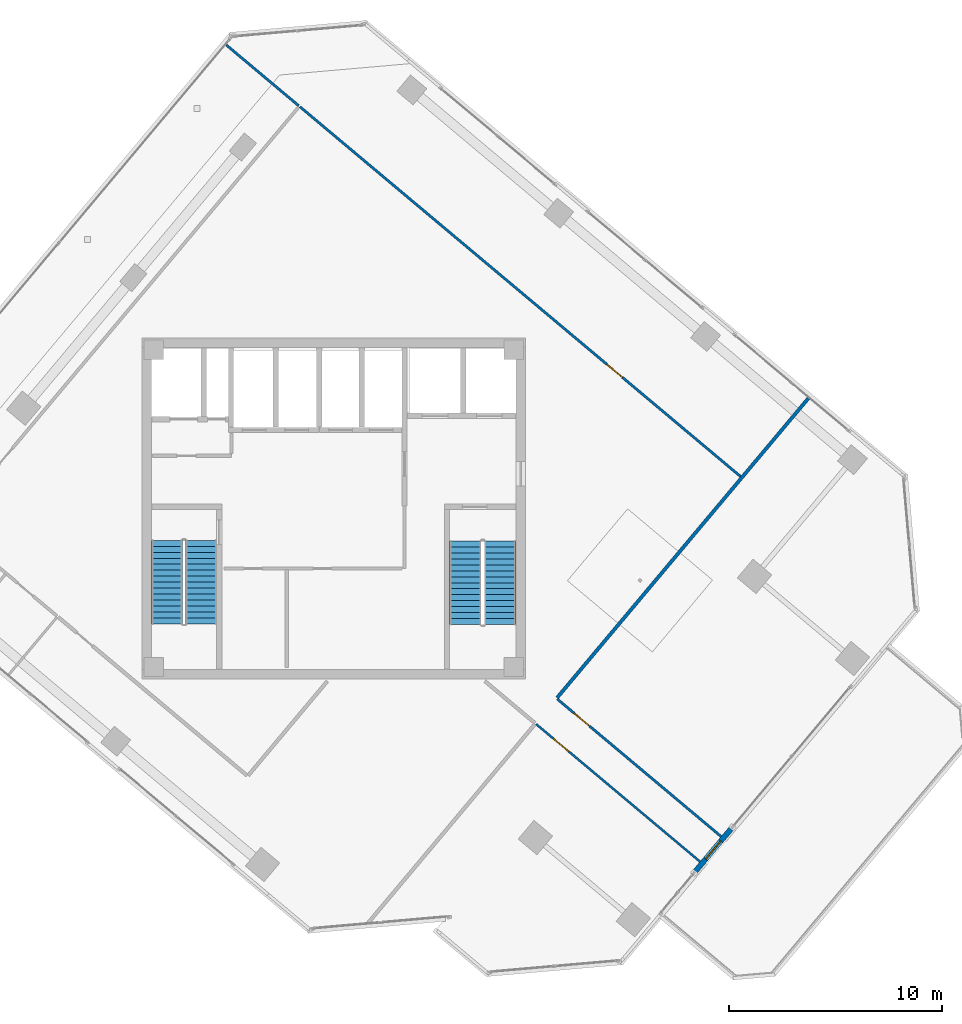
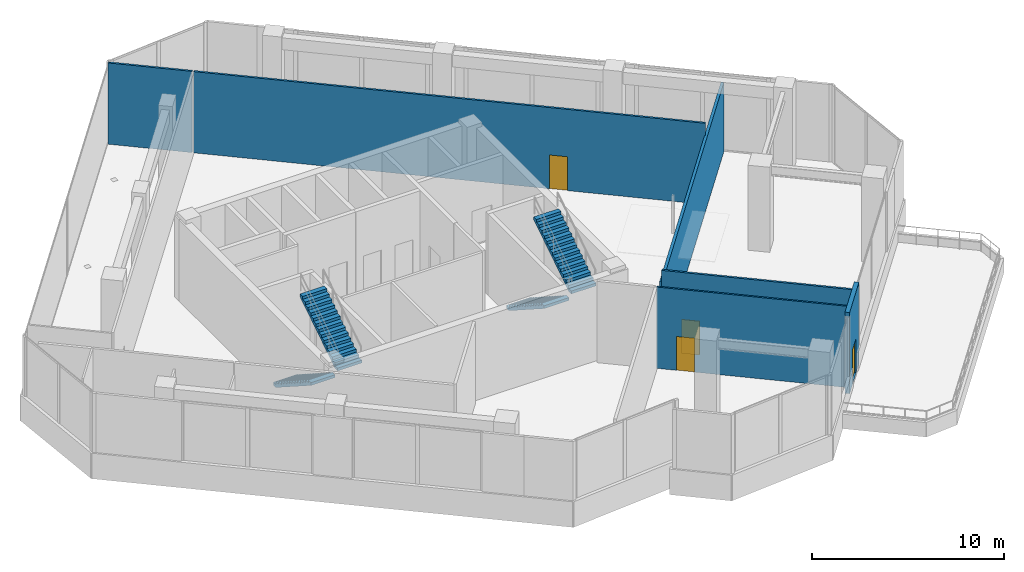
# One storey, part 13 of 17: 6 walls, 4 doors, 4 stair flights, 4 openings, 2 elements without a shape of their own.
"""IFC4 building model written with IfcOpenShell, lengths in metres."""

from ifc_helpers import new_model, si_unit, direction, frame, frame_2d, origin, place, context, subcontext, project, spatial, polyline, rectangle, outline, extrude, source, transform, mapped, material, layer, layer_set, type_object, element, fill, aggregate, save


model = new_model("IFC4")

# Units and contexts
model_context = context("Model", 3, precision=1e-05, world=origin(), true_north=direction((0.0, 1.0)))
body_context = subcontext(model_context, "Body", "Model", "MODEL_VIEW")
ifc_project = project(units=[si_unit("LENGTHUNIT", "METRE"), si_unit("AREAUNIT", "SQUARE_METRE"), si_unit("VOLUMEUNIT", "CUBIC_METRE"), si_unit("PLANEANGLEUNIT", "RADIAN"), si_unit("MASSUNIT", "GRAM", prefix="KILO")], contexts=[model_context])

# Site, building, storey
site_placement = place(None, origin())
site = spatial("IfcSite", under=ifc_project, at=site_placement, CompositionType="ELEMENT")
building_placement = place(site_placement, origin())
building = spatial("IfcBuilding", under=site, at=building_placement, Name="Torre Montelarca", CompositionType="ELEMENT")
storey_placement = place(building_placement, frame((0.0, 0.0, 215.199951171875)))
storey = spatial("IfcBuildingStorey", under=building, at=storey_placement, Name="L48", CompositionType="ELEMENT", Elevation=215.199951171875)

# Wall, opening, door
ifc_material_1 = material(Name="Precast concrete C45/55", Category="concrete")
ifc_layer_1 = layer(ifc_material_1, 0.25, Name="Precast concrete C45/55", Category="concrete")
ifc_layer_set_1 = layer_set([ifc_layer_1], Name="Precast concrete C45/55")
wall_type_1 = type_object("IfcWallType", Name="EW-CONC-250", PredefinedType="SOLIDWALL", material=ifc_layer_set_1)
wall_1_placement = place(storey_placement, frame((34.911376953125, 14.892822265625, 0.0), z_axis=(0.0, 0.0, 1.0), x_axis=(0.642770757628, 0.766058583359, 0.0)))
wall_1 = element("IfcWall", 1, at=wall_1_placement, inside=storey, type_object=wall_type_1, Name="L48 Terrace Portal Wall Pier E06", PredefinedType="SOLIDWALL", context=body_context, shape_type="SweptSolid", body=[
    extrude(rectangle(XDim=2.800048828125, YDim=0.25, at=frame_2d((1.39990234375, 0.0))), origin(), (0.0, 0.0, 1.0), 5.16015625),
])
opening_1_placement = place(wall_1_placement, frame((0.85009765625, 0.0, 0.0)))
opening_1 = element("IfcOpeningElement", 2, at=opening_1_placement, cuts=wall_1, Name="Opening ED-03", PredefinedType="OPENING", context=body_context, shape_type="SweptSolid", body=[
    extrude(rectangle(XDim=1.10009765625, YDim=2.199951171875, at=frame_2d((0.550048828125, 1.10009765625))), frame((0.0, 0.135009765625, 0.0), z_axis=(0.0, -1.0, 0.0), x_axis=(1.0, 0.0, 0.0)), (0.0, 0.0, 1.0), 0.27001953125),
])
ifc_material_2 = material(Name="Powder-coated galvanized steel and safety glass", Category="steel")
door_type_1 = type_object("IfcDoorType", Name="DR-EXT-TER", OperationType="NOTDEFINED", PredefinedType="DOOR", material=ifc_material_2)
shared_shape_1 = source(origin(), body_context, "Body", "SweptSolid", [
    extrude(rectangle(XDim=1.10009765625, YDim=2.199951171875, at=frame_2d((0.550048828125, 1.10009765625))), frame((0.0, 0.02490234375, 0.0), z_axis=(0.0, -1.0, 0.0), x_axis=(1.0, 0.0, 0.0)), (0.0, 0.0, 1.0), 0.050048828125),
])
door_1_placement = place(opening_1_placement, origin())
door_1 = element("IfcDoor", 3, at=door_1_placement, inside=storey, type_object=door_type_1, Name="L48 Sky Terrace Access Door", OperationType="SINGLE_SWING_LEFT", OverallHeight=2.199951171875, OverallWidth=1.10009765625, PredefinedType="DOOR", context=body_context, shape_type="MappedRepresentation", body=[
    mapped(shared_shape_1, transform((0.0, 0.0, 0.0), scale=1.0)),
])
fill(opening_1, door_1)

# Wall
ifc_material_3 = material(Name="Gypsum plasterboard on steel stud", Category="steel")
ifc_layer_2 = layer(ifc_material_3, 0.159912109375, Name="Gypsum plasterboard on steel stud", Category="steel")
ifc_layer_set_2 = layer_set([ifc_layer_2], Name="Gypsum plasterboard on steel stud")
wall_type_2 = type_object("IfcWallType", Name="PW-FIRE-160", PredefinedType="PARTITIONING", material=ifc_layer_set_2)
wall_2_placement = place(storey_placement, frame((28.481201171875, 23.113525390625, 0.0), z_axis=(0.0, 0.0, 1.0), x_axis=(0.642788958176, 0.7660433116, 0.0)))
element("IfcWall", 4, at=wall_2_placement, inside=storey, type_object=wall_type_2, Name="L48 Interior Partition W-L48-ECN", PredefinedType="PARTITIONING", context=body_context, shape_type="SweptSolid", body=[
    extrude(rectangle(XDim=18.340087890625, YDim=0.159912109375, at=frame_2d((9.169921875, 0.0))), origin(), (0.0, 0.0, 1.0), 4.39501953125),
])

# Wall, opening, door
ifc_material_4 = material(Name="Acoustic laminated glass partition", Category="glass")
ifc_layer_3 = layer(ifc_material_4, 0.10009765625, Name="Acoustic laminated glass partition", Category="glass")
ifc_layer_set_3 = layer_set([ifc_layer_3], Name="Acoustic laminated glass partition")
wall_type_3 = type_object("IfcWallType", Name="PW-GLAZ-100", PredefinedType="PARTITIONING", material=ifc_layer_set_3)
wall_3_placement = place(storey_placement, frame((27.49609375, 21.87744140625, 0.0), z_axis=(0.0, 0.0, 1.0), x_axis=(0.766053586218, -0.642776713208, 0.0)))
wall_3 = element("IfcWall", 5, at=wall_3_placement, inside=storey, type_object=wall_type_3, Name="L48 Interior Partition W-L48-SE-N", PredefinedType="PARTITIONING", context=body_context, shape_type="SweptSolid", body=[
    extrude(rectangle(XDim=10.119873046875, YDim=0.10009765625, at=frame_2d((5.06005859375, 0.0))), origin(), (0.0, 0.0, 1.0), 5.16015625),
])
opening_2_placement = place(wall_3_placement, frame((1.050048828125, 0.0, 0.0)))
opening_2 = element("IfcOpeningElement", 6, at=opening_2_placement, cuts=wall_3, Name="Opening ID-095", PredefinedType="OPENING", context=body_context, shape_type="SweptSolid", body=[
    extrude(rectangle(XDim=0.949951171875, YDim=2.14990234375, at=frame_2d((0.47509765625, 1.074951171875))), frame((0.0, 0.06005859375, 0.0), z_axis=(0.0, -1.0, 0.0), x_axis=(1.0, 0.0, 0.0)), (0.0, 0.0, 1.0), 0.1201171875),
])
ifc_material_5 = material(Name="Hardwood acoustic timber veneer", Category="wood")
door_type_2 = type_object("IfcDoorType", Name="DR-INT-095", OperationType="NOTDEFINED", PredefinedType="DOOR", material=ifc_material_5)
shared_shape_2 = source(origin(), body_context, "Body", "SweptSolid", [
    extrude(rectangle(XDim=0.949951171875, YDim=2.14990234375, at=frame_2d((0.47509765625, 1.074951171875))), frame((0.0, 0.02490234375, 0.0), z_axis=(0.0, -1.0, 0.0), x_axis=(1.0, 0.0, 0.0)), (0.0, 0.0, 1.0), 0.050048828125),
])
door_2_placement = place(opening_2_placement, origin())
door_2 = element("IfcDoor", 7, at=door_2_placement, inside=storey, type_object=door_type_2, Name="L48 Interior Door 10", OperationType="SINGLE_SWING_LEFT", OverallHeight=2.14990234375, OverallWidth=0.949951171875, PredefinedType="DOOR", context=body_context, shape_type="MappedRepresentation", body=[
    mapped(shared_shape_2, transform((0.0, 0.0, 0.0), scale=1.0)),
])
fill(opening_2, door_2)

ifc_layer_4 = layer(ifc_material_3, 0.114990234375, Name="Gypsum plasterboard on steel stud", Category="steel")
ifc_layer_set_4 = layer_set([ifc_layer_4], Name="Gypsum plasterboard on steel stud")
wall_type_4 = type_object("IfcWallType", Name="PW-PART-115", PredefinedType="PARTITIONING", material=ifc_layer_set_4)
wall_4_placement = place(storey_placement, frame((16.41552734375, 50.847900390625, 0.0), z_axis=(0.0, 0.0, 1.0), x_axis=(0.766042472976, -0.642789957604, 0.0)))
wall_4 = element("IfcWall", 8, at=wall_4_placement, inside=storey, type_object=wall_type_4, Name="L48 Interior Partition W-L48-NBOT", PredefinedType="PARTITIONING", context=body_context, shape_type="SweptSolid", body=[
    extrude(rectangle(XDim=27.0302734375, YDim=0.114990234375, at=frame_2d((13.51513671875, 0.0))), origin(), (0.0, 0.0, 1.0), 5.16015625),
])
opening_3_placement = place(wall_4_placement, frame((18.800048828125, 0.0, 0.0)))
opening_3 = element("IfcOpeningElement", 9, at=opening_3_placement, cuts=wall_4, Name="Opening ID-095", PredefinedType="OPENING", context=body_context, shape_type="SweptSolid", body=[
    extrude(rectangle(XDim=0.949951171875, YDim=2.14990234375, at=frame_2d((0.47509765625, 1.074951171875))), frame((0.0, 0.0673828125, 0.0), z_axis=(0.0, -1.0, 0.0), x_axis=(1.0, 0.0, 0.0)), (0.0, 0.0, 1.0), 0.135009765625),
])
door_3_placement = place(opening_3_placement, origin())
door_3 = element("IfcDoor", 10, at=door_3_placement, inside=storey, type_object=door_type_2, Name="L48 Interior Door 07", OperationType="SINGLE_SWING_LEFT", OverallHeight=2.14990234375, OverallWidth=0.949951171875, PredefinedType="DOOR", context=body_context, shape_type="MappedRepresentation", body=[
    mapped(shared_shape_2, transform((0.0, 0.0, 0.0), scale=1.0)),
])
fill(opening_3, door_3)

# Wall
wall_5_placement = place(storey_placement, frame((12.960693359375, 53.74658203125, 0.0), z_axis=(0.0, 0.0, 1.0), x_axis=(0.766057601156, -0.642771928222, 0.0)))
element("IfcWall", 11, at=wall_5_placement, inside=storey, type_object=wall_type_4, Name="L48 Interior Partition W-L48-WWGN", PredefinedType="PARTITIONING", context=body_context, shape_type="SweptSolid", body=[
    extrude(rectangle(XDim=4.429931640625, YDim=0.114990234375, at=frame_2d((2.21484375, 0.0))), origin(), (0.0, 0.0, 1.0), 5.16015625),
])

# Wall, opening, door
wall_6_placement = place(storey_placement, frame((28.486083984375, 23.05712890625, 0.0), z_axis=(0.0, 0.0, 1.0), x_axis=(0.766053586218, -0.642776713208, 0.0)))
wall_6 = element("IfcWall", 12, at=wall_6_placement, inside=storey, type_object=wall_type_4, Name="L48 Interior Partition W-L48-NE-S", PredefinedType="PARTITIONING", context=body_context, shape_type="SweptSolid", body=[
    extrude(rectangle(XDim=10.119873046875, YDim=0.114990234375, at=frame_2d((5.06005859375, 0.0))), origin(), (0.0, 0.0, 1.0), 5.16015625),
])
opening_4_placement = place(wall_6_placement, frame((1.050048828125, 0.0, 0.0)))
opening_4 = element("IfcOpeningElement", 13, at=opening_4_placement, cuts=wall_6, Name="Opening ID-095", PredefinedType="OPENING", context=body_context, shape_type="SweptSolid", body=[
    extrude(rectangle(XDim=0.949951171875, YDim=2.14990234375, at=frame_2d((0.47509765625, 1.074951171875))), frame((0.0, 0.0673828125, 0.0), z_axis=(0.0, -1.0, 0.0), x_axis=(1.0, 0.0, 0.0)), (0.0, 0.0, 1.0), 0.135009765625),
])
door_4_placement = place(opening_4_placement, origin())
door_4 = element("IfcDoor", 14, at=door_4_placement, inside=storey, type_object=door_type_2, Name="L48 Interior Door 09", OperationType="SINGLE_SWING_LEFT", OverallHeight=2.14990234375, OverallWidth=0.949951171875, PredefinedType="DOOR", context=body_context, shape_type="MappedRepresentation", body=[
    mapped(shared_shape_2, transform((0.0, 0.0, 0.0), scale=1.0)),
])
fill(opening_4, door_4)

# Stair, stair flights
ifc_material_6 = material(Name="Concrete C40/50", Category="concrete")
stair_type_1 = type_object("IfcStairType", Name="ST-CORE-ST1", PredefinedType="HALF_TURN_STAIR", material=ifc_material_6)
stair_1_placement = place(storey_placement, origin())
stair_1 = element("IfcStair", 15, at=stair_1_placement, inside=storey, type_object=stair_type_1, Name="L48 Protected Exit Stair ST1", PredefinedType="HALF_TURN_STAIR")
stair_flight_type_1 = type_object("IfcStairFlightType", Name="SFL-CORE-ST1", PredefinedType="STRAIGHT", material=ifc_material_6)
stair_flight_1_placement = place(storey_placement, frame((10.175048828125, 30.5, 0.0), z_axis=(0.0, 0.0, 1.0), x_axis=(0.0, -1.0, 0.0)))
stair_flight_1 = element("IfcStairFlight", 16, at=stair_flight_1_placement, type_object=stair_flight_type_1, Name="ST1 flight 1", NumberOfRisers=15, NumberOfTreads=14, PredefinedType="STRAIGHT", RiserHeight=0.18, TreadLength=0.28, context=body_context, shape_type="SweptSolid", body=[
    extrude(outline(polyline([(0.0, 0.0), (0.0, 0.179931640625), (0.280029296875, 0.179931640625), (0.280029296875, 0.360107421875), (0.56005859375, 0.360107421875), (0.56005859375, 0.5400390625), (0.840087890625, 0.5400390625), (0.840087890625, 0.719970703125), (1.1201171875, 0.719970703125), (1.1201171875, 0.89990234375), (1.39990234375, 0.89990234375), (1.39990234375, 1.080078125), (1.679931640625, 1.080078125), (1.679931640625, 1.260009765625), (1.9599609375, 1.260009765625), (1.9599609375, 1.43994140625), (2.239990234375, 1.43994140625), (2.239990234375, 1.6201171875), (2.52001953125, 1.6201171875), (2.52001953125, 1.800048828125), (2.800048828125, 1.800048828125), (2.800048828125, 1.97998046875), (3.080078125, 1.97998046875), (3.080078125, 2.159912109375), (3.360107421875, 2.159912109375), (3.360107421875, 2.340087890625), (3.639892578125, 2.340087890625), (3.639892578125, 2.52001953125), (3.919921875, 2.52001953125), (3.919921875, 2.699951171875), (3.919921875, 2.341796875), (0.277099609375, 0.0), (0.0, 0.0)])), frame((0.0, 0.72509765625, 0.0), z_axis=(0.0, -1.0, 0.0), x_axis=(1.0, 0.0, 0.0)), (0.0, 0.0, 1.0), 1.449951171875),
])
stair_flight_2_placement = place(storey_placement, frame((11.77490234375, 26.580078125, 2.699951171875), z_axis=(0.0, 0.0, 1.0), x_axis=(0.0, 1.0, 0.0)))
stair_flight_2 = element("IfcStairFlight", 17, at=stair_flight_2_placement, type_object=stair_flight_type_1, Name="ST1 flight 2", NumberOfRisers=15, NumberOfTreads=14, PredefinedType="STRAIGHT", RiserHeight=0.18, TreadLength=0.28, context=body_context, shape_type="SweptSolid", body=[
    extrude(outline(polyline([(0.0, 0.0), (0.0, 0.179931640625), (0.280029296875, 0.179931640625), (0.280029296875, 0.360107421875), (0.56005859375, 0.360107421875), (0.56005859375, 0.5400390625), (0.840087890625, 0.5400390625), (0.840087890625, 0.719970703125), (1.1201171875, 0.719970703125), (1.1201171875, 0.89990234375), (1.39990234375, 0.89990234375), (1.39990234375, 1.080078125), (1.679931640625, 1.080078125), (1.679931640625, 1.260009765625), (1.9599609375, 1.260009765625), (1.9599609375, 1.43994140625), (2.239990234375, 1.43994140625), (2.239990234375, 1.6201171875), (2.52001953125, 1.6201171875), (2.52001953125, 1.800048828125), (2.800048828125, 1.800048828125), (2.800048828125, 1.97998046875), (3.080078125, 1.97998046875), (3.080078125, 2.159912109375), (3.360107421875, 2.159912109375), (3.360107421875, 2.340087890625), (3.639892578125, 2.340087890625), (3.639892578125, 2.52001953125), (3.919921875, 2.52001953125), (3.919921875, 2.699951171875), (3.919921875, 2.341796875), (0.277099609375, 0.0), (0.0, 0.0)])), frame((0.0, 0.72509765625, 0.0), z_axis=(0.0, -1.0, 0.0), x_axis=(1.0, 0.0, 0.0)), (0.0, 0.0, 1.0), 1.449951171875),
])
aggregate(stair_1, [stair_flight_1, stair_flight_2])

stair_type_2 = type_object("IfcStairType", Name="ST-CORE-ST2", PredefinedType="HALF_TURN_STAIR", material=ifc_material_6)
stair_2_placement = place(storey_placement, origin())
stair_2 = element("IfcStair", 18, at=stair_2_placement, inside=storey, type_object=stair_type_2, Name="L48 Protected Exit Stair ST2", PredefinedType="HALF_TURN_STAIR")
stair_flight_type_2 = type_object("IfcStairFlightType", Name="SFL-CORE-ST2", PredefinedType="STRAIGHT", material=ifc_material_6)
stair_flight_3_placement = place(storey_placement, frame((24.179931640625, 30.469970703125, 0.0), z_axis=(0.0, 0.0, 1.0), x_axis=(0.0, -1.0, 0.0)))
stair_flight_3 = element("IfcStairFlight", 19, at=stair_flight_3_placement, type_object=stair_flight_type_2, Name="ST2 flight 1", NumberOfRisers=15, NumberOfTreads=14, PredefinedType="STRAIGHT", RiserHeight=0.18, TreadLength=0.28, context=body_context, shape_type="SweptSolid", body=[
    extrude(outline(polyline([(0.0, 0.0), (0.0, 0.179931640625), (0.280029296875, 0.179931640625), (0.280029296875, 0.360107421875), (0.56005859375, 0.360107421875), (0.56005859375, 0.5400390625), (0.840087890625, 0.5400390625), (0.840087890625, 0.719970703125), (1.1201171875, 0.719970703125), (1.1201171875, 0.89990234375), (1.39990234375, 0.89990234375), (1.39990234375, 1.080078125), (1.679931640625, 1.080078125), (1.679931640625, 1.260009765625), (1.9599609375, 1.260009765625), (1.9599609375, 1.43994140625), (2.239990234375, 1.43994140625), (2.239990234375, 1.6201171875), (2.52001953125, 1.6201171875), (2.52001953125, 1.800048828125), (2.800048828125, 1.800048828125), (2.800048828125, 1.97998046875), (3.080078125, 1.97998046875), (3.080078125, 2.159912109375), (3.360107421875, 2.159912109375), (3.360107421875, 2.340087890625), (3.639892578125, 2.340087890625), (3.639892578125, 2.52001953125), (3.919921875, 2.52001953125), (3.919921875, 2.699951171875), (3.919921875, 2.341796875), (0.277099609375, 0.0), (0.0, 0.0)])), frame((0.0, 0.739990234375, 0.0), z_axis=(0.0, -1.0, 0.0), x_axis=(1.0, 0.0, 0.0)), (0.0, 0.0, 1.0), 1.47998046875),
])
stair_flight_4_placement = place(storey_placement, frame((25.81005859375, 26.550048828125, 2.699951171875), z_axis=(0.0, 0.0, 1.0), x_axis=(0.0, 1.0, 0.0)))
stair_flight_4 = element("IfcStairFlight", 20, at=stair_flight_4_placement, type_object=stair_flight_type_2, Name="ST2 flight 2", NumberOfRisers=15, NumberOfTreads=14, PredefinedType="STRAIGHT", RiserHeight=0.18, TreadLength=0.28, context=body_context, shape_type="SweptSolid", body=[
    extrude(outline(polyline([(0.0, 0.0), (0.0, 0.179931640625), (0.280029296875, 0.179931640625), (0.280029296875, 0.360107421875), (0.56005859375, 0.360107421875), (0.56005859375, 0.5400390625), (0.840087890625, 0.5400390625), (0.840087890625, 0.719970703125), (1.1201171875, 0.719970703125), (1.1201171875, 0.89990234375), (1.39990234375, 0.89990234375), (1.39990234375, 1.080078125), (1.679931640625, 1.080078125), (1.679931640625, 1.260009765625), (1.9599609375, 1.260009765625), (1.9599609375, 1.43994140625), (2.239990234375, 1.43994140625), (2.239990234375, 1.6201171875), (2.52001953125, 1.6201171875), (2.52001953125, 1.800048828125), (2.800048828125, 1.800048828125), (2.800048828125, 1.97998046875), (3.080078125, 1.97998046875), (3.080078125, 2.159912109375), (3.360107421875, 2.159912109375), (3.360107421875, 2.340087890625), (3.639892578125, 2.340087890625), (3.639892578125, 2.52001953125), (3.919921875, 2.52001953125), (3.919921875, 2.699951171875), (3.919921875, 2.341796875), (0.277099609375, 0.0), (0.0, 0.0)])), frame((0.0, 0.739990234375, 0.0), z_axis=(0.0, -1.0, 0.0), x_axis=(1.0, 0.0, 0.0)), (0.0, 0.0, 1.0), 1.47998046875),
])
aggregate(stair_2, [stair_flight_3, stair_flight_4])

save(model, "model.ifc")
